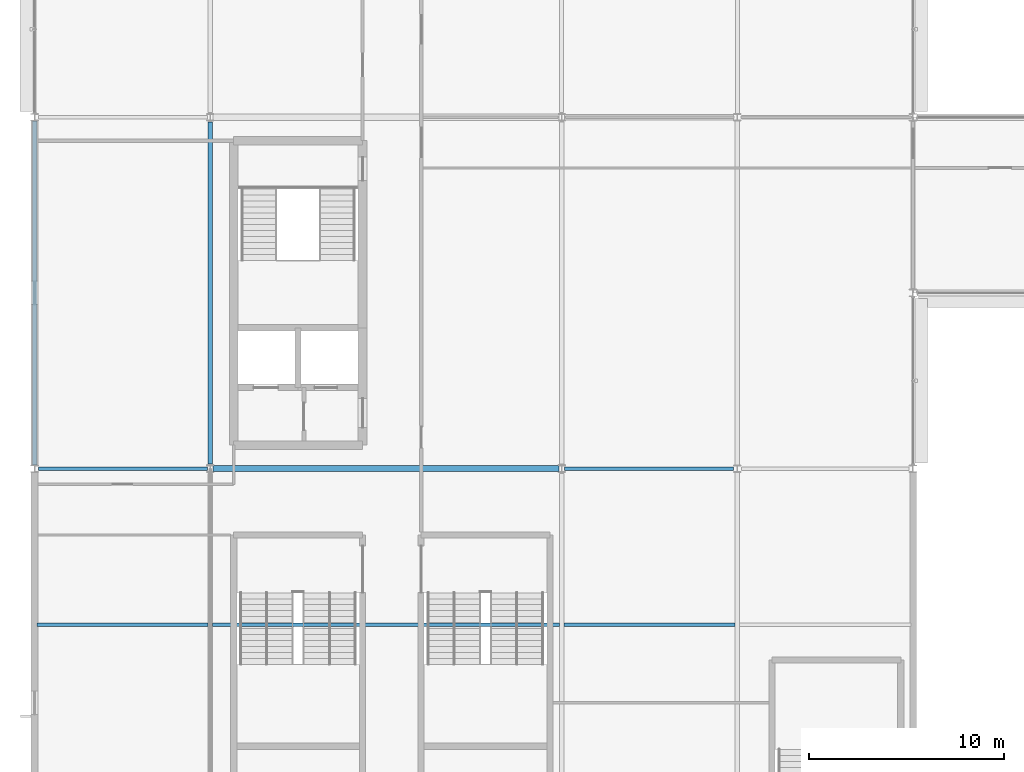
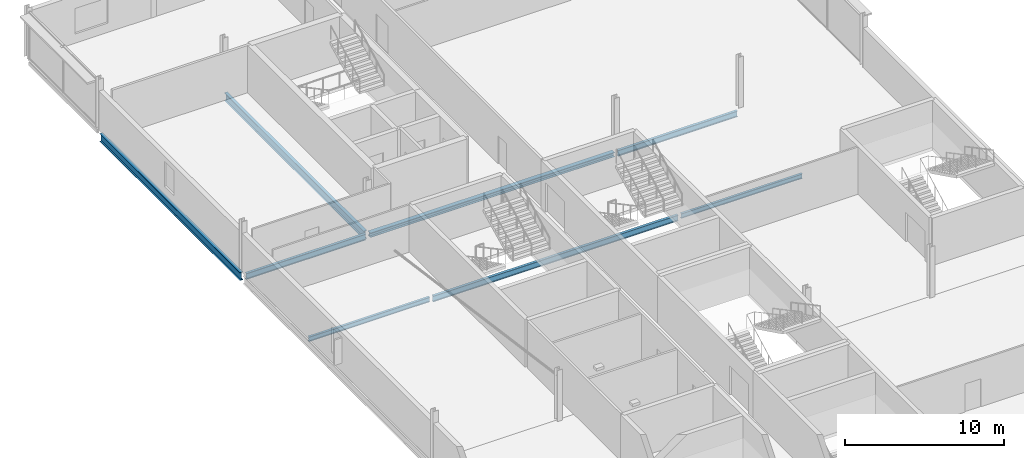
# One storey, part 28 of 98: 8 beams.
"""IFC4 building model written with IfcOpenShell, lengths in metres."""

from ifc_helpers import new_model, si_unit, direction, frame, origin, origin_2d, place, context, subcontext, project, spatial, i_section, extrude, material, material_profile, profile_set, type_object, element, save


model = new_model("IFC4")

# Units and contexts
model_context = context("Model", 3, precision=1e-05, world=origin(), true_north=direction((0.0, 1.0)))
body_context = subcontext(model_context, "Body", "Model", "MODEL_VIEW")
ifc_project = project(units=[si_unit("LENGTHUNIT", "METRE"), si_unit("AREAUNIT", "SQUARE_METRE"), si_unit("VOLUMEUNIT", "CUBIC_METRE"), si_unit("PLANEANGLEUNIT", "RADIAN"), si_unit("MASSUNIT", "GRAM", prefix="KILO")], contexts=[model_context])

# Site, building, storey
site_placement = place(None, origin())
site = spatial("IfcSite", under=ifc_project, at=site_placement, CompositionType="ELEMENT")
building_placement = place(site_placement, origin())
building = spatial("IfcBuilding", under=site, at=building_placement, Name="Kisiwana Market Hall", CompositionType="ELEMENT")
storey_placement = place(building_placement, frame((0.0, 0.0, 29.39990234375)))
storey = spatial("IfcBuildingStorey", under=building, at=storey_placement, Name="L06", CompositionType="ELEMENT", Elevation=29.39990234375)

# Beams
ifc_material_1 = material(Name="Steel S355", Category="steel")
ifc_material_profile_1 = material_profile(ifc_material_1, i_section(OverallWidth=0.18994140625, OverallDepth=0.449951171875, WebThickness=0.009521484375, FlangeThickness=0.0146484375, FilletRadius=0.02099609375, at=origin_2d()), Name="IPE 450")
ifc_profile_set_1 = profile_set([ifc_material_profile_1], Name="Steel S355")
beam_type_1 = type_object("IfcBeamType", Name="BM-GIRD-IPE450", PredefinedType="BEAM", material=ifc_profile_set_1)
beam_1_placement = place(storey_placement, frame((27.14599609375, 84.0, -0.469970703125), z_axis=(1.0, 0.0, 0.0), x_axis=(0.0, 1.0, 0.0)))
element("IfcBeam", 1, at=beam_1_placement, inside=storey, type_object=beam_type_1, Name="Floor beam B-1815", PredefinedType="BEAM", context=body_context, shape_type="SweptSolid", body=[
    extrude(i_section(OverallWidth=0.18994140625, OverallDepth=0.449951171875, WebThickness=0.009521484375, FlangeThickness=0.0146484375, FilletRadius=0.02099609375, at=origin_2d()), origin(), (0.0, 0.0, 1.0), 8.65478515625),
])
ifc_material_2 = material(Name="Steel S355", Category="steel")
ifc_material_profile_2 = material_profile(ifc_material_2, i_section(OverallWidth=0.19140625, OverallDepth=0.4599609375, WebThickness=0.010009765625, FlangeThickness=0.01611328125, at=origin_2d()), Name="UB 457x191x82")
ifc_profile_set_2 = profile_set([ifc_material_profile_2], Name="Steel S355")
beam_type_2 = type_object("IfcBeamType", Name="BM-GIRD-UB082", PredefinedType="BEAM", material=ifc_profile_set_2)
beam_2_placement = place(storey_placement, frame((0.19921875, 84.0, -0.474853515625), z_axis=(1.0, 0.0, 0.0), x_axis=(0.0, 1.0, 0.0)))
element("IfcBeam", 2, at=beam_2_placement, inside=storey, type_object=beam_type_2, Name="Floor beam B-1813", PredefinedType="BEAM", context=body_context, shape_type="SweptSolid", body=[
    extrude(i_section(OverallWidth=0.19140625, OverallDepth=0.4599609375, WebThickness=0.010009765625, FlangeThickness=0.01611328125, at=origin_2d()), origin(), (0.0, 0.0, 1.0), 8.65478515625),
])
ifc_material_3 = material(Name="Steel S355", Category="steel")
ifc_material_profile_3 = material_profile(ifc_material_3, i_section(OverallWidth=0.22900390625, OverallDepth=0.6123046875, WebThickness=0.011962890625, FlangeThickness=0.01953125, at=origin_2d()), Name="UB 610x229x125")
ifc_profile_set_3 = profile_set([ifc_material_profile_3], Name="Steel S355")
beam_type_3 = type_object("IfcBeamType", Name="BM-GIRD-UB610H", PredefinedType="BEAM", material=ifc_profile_set_3)
beam_3_placement = place(storey_placement, frame((0.0, 84.19921875, -0.551025390625), z_axis=(0.0, 1.0, 0.0), x_axis=(-1.0, 0.0, 0.0)))
element("IfcBeam", 3, at=beam_3_placement, inside=storey, type_object=beam_type_3, Name="Floor beam B-1853", PredefinedType="BEAM", context=body_context, shape_type="SweptSolid", body=[
    extrude(i_section(OverallWidth=0.22900390625, OverallDepth=0.6123046875, WebThickness=0.011962890625, FlangeThickness=0.01953125, at=origin_2d()), origin(), (0.0, 0.0, 1.0), 17.6015625),
])
beam_4_placement = place(storey_placement, frame((9.0, 84.24609375, -0.551025390625), z_axis=(0.0, 1.0, 0.0), x_axis=(-1.0, 0.0, 0.0)))
element("IfcBeam", 4, at=beam_4_placement, inside=storey, type_object=beam_type_3, Name="Primary girder B-1705", PredefinedType="BEAM", context=body_context, shape_type="SweptSolid", body=[
    extrude(i_section(OverallWidth=0.22900390625, OverallDepth=0.6123046875, WebThickness=0.011962890625, FlangeThickness=0.01953125, at=origin_2d()), origin(), (0.0, 0.0, 1.0), 17.5078125),
])
ifc_material_4 = material(Name="Steel S355", Category="steel")
ifc_material_profile_4 = material_profile(ifc_material_4, i_section(OverallWidth=0.17138671875, OverallDepth=0.35498046875, WebThickness=0.00732421875, FlangeThickness=0.011474609375, at=origin_2d()), Name="UB 356x171x51")
ifc_profile_set_4 = profile_set([ifc_material_profile_4], Name="Steel S355")
beam_type_4 = type_object("IfcBeamType", Name="BM-JOIST-UB356", PredefinedType="JOIST", material=ifc_profile_set_4)
for number, where, z_axis, x_axis, name in (
    (5, (0.113525390625, 76.0, -0.42236328125), (1.0, 0.0, 0.0), (0.0, 1.0, 0.0), "Secondary floor joist B-1767"),
    (6, (27.113525390625, 76.0, -0.42236328125), (1.0, 0.0, 0.0), (0.0, 1.0, 0.0), "Secondary floor joist B-1769"),
):
    element("IfcBeam", number, at=place(storey_placement, frame(where, z_axis=z_axis, x_axis=x_axis)), inside=storey, type_object=beam_type_4, Name=name, PredefinedType="JOIST", context=body_context, shape_type="SweptSolid", body=[
        extrude(i_section(OverallWidth=0.17138671875, OverallDepth=0.35498046875, WebThickness=0.00732421875, FlangeThickness=0.011474609375, at=origin_2d()), origin(), (0.0, 0.0, 1.0), 8.77294921875),
    ])
ifc_material_5 = material(Name="Steel S355", Category="steel")
ifc_material_profile_5 = material_profile(ifc_material_5, i_section(OverallWidth=0.18994140625, OverallDepth=0.453369140625, WebThickness=0.008544921875, FlangeThickness=0.0126953125, at=origin_2d()), Name="UB 457x191x67")
ifc_profile_set_5 = profile_set([ifc_material_profile_5], Name="Steel S355")
beam_type_5 = type_object("IfcBeamType", Name="BM-JOIST-UB457", PredefinedType="JOIST", material=ifc_profile_set_5)
beam_5_placement = place(storey_placement, frame((9.113525390625, 76.0, -0.4716796875), z_axis=(1.0, 0.0, 0.0), x_axis=(0.0, 1.0, 0.0)))
element("IfcBeam", 7, at=beam_5_placement, inside=storey, type_object=beam_type_5, Name="Secondary floor joist B-1768", PredefinedType="JOIST", context=body_context, shape_type="SweptSolid", body=[
    extrude(i_section(OverallWidth=0.18994140625, OverallDepth=0.453369140625, WebThickness=0.008544921875, FlangeThickness=0.0126953125, at=origin_2d()), origin(), (0.0, 0.0, 1.0), 17.77294921875),
])
ifc_material_6 = material(Name="Steel S355", Category="steel")
ifc_material_profile_6 = material_profile(ifc_material_6, i_section(OverallWidth=0.314453125, OverallDepth=0.33984375, WebThickness=0.01904296875, FlangeThickness=0.031494140625, at=origin_2d()), Name="UC 305x305x198")
ifc_profile_set_6 = profile_set([ifc_material_profile_6], Name="Steel S355")
beam_type_6 = type_object("IfcBeamType", Name="BM-SKYBR-CHORD", PredefinedType="BEAM", material=ifc_profile_set_6)
beam_6_placement = place(storey_placement, frame((9.14599609375, 84.0, -0.414794921875), z_axis=(1.0, 0.0, 0.0), x_axis=(0.0, 1.0, 0.0)))
element("IfcBeam", 8, at=beam_6_placement, inside=storey, type_object=beam_type_6, Name="Floor beam B-1814", PredefinedType="BEAM", context=body_context, shape_type="SweptSolid", body=[
    extrude(i_section(OverallWidth=0.314453125, OverallDepth=0.33984375, WebThickness=0.01904296875, FlangeThickness=0.031494140625, at=origin_2d()), origin(), (0.0, 0.0, 1.0), 17.7080078125),
])

save(model, "model.ifc")
